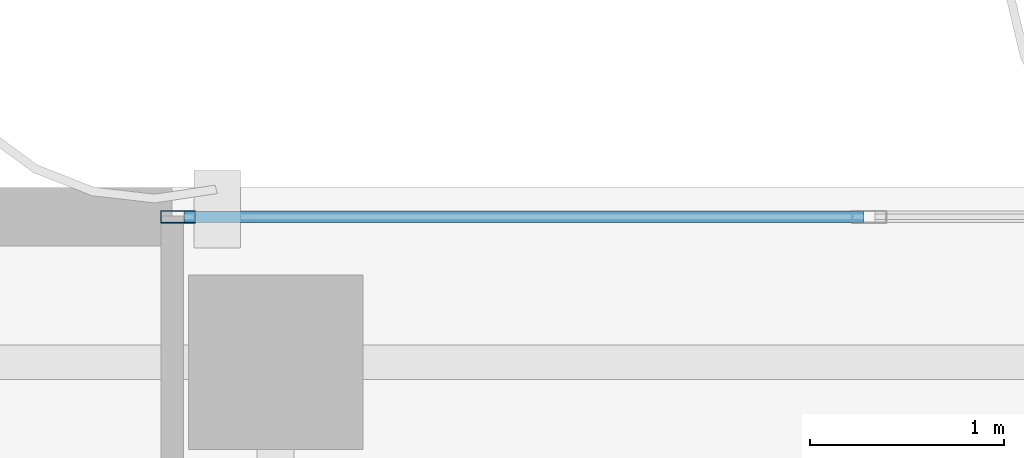
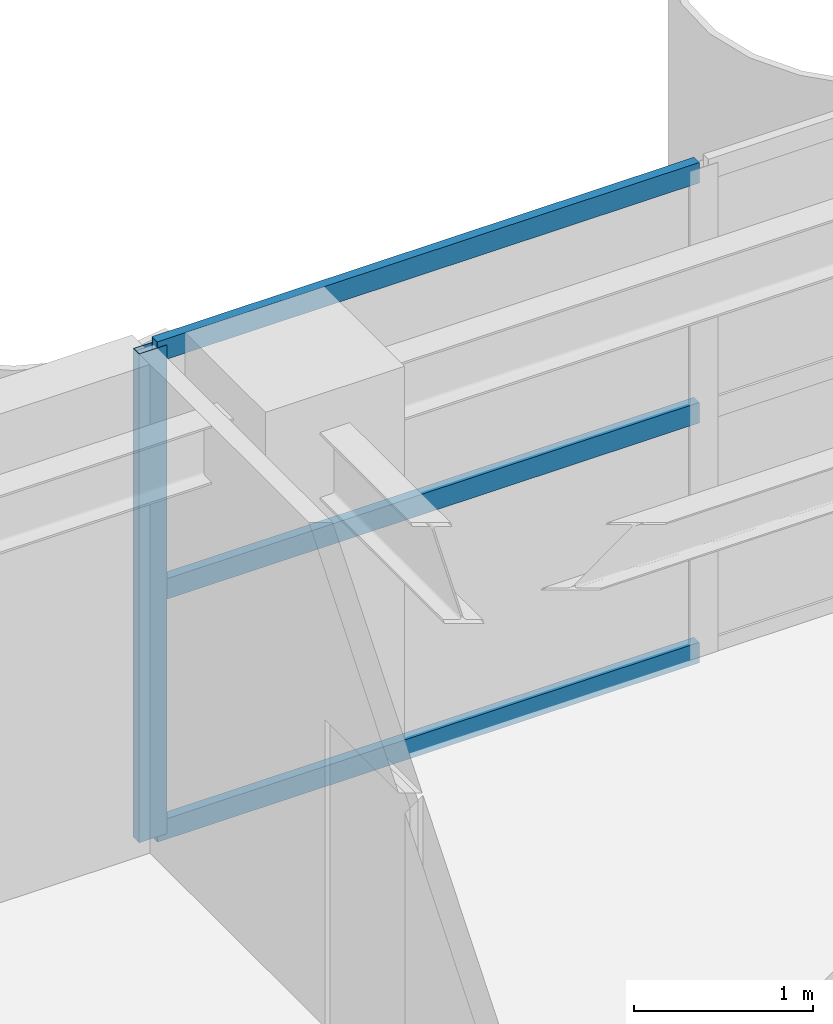
# One storey, part 14 of 25: 4 members, 1 element without a shape of its own.
"""IFC4 building model written with IfcOpenShell, lengths in metres."""

import ifcopenshell
import ifcopenshell.guid

model = None  # the IFC model being written
_history = None  # IfcOwnerHistory: only IFC2X3 demands one
_inside = {}  # id of a spatial element -> (the spatial element, [elements in it])
_under = {}  # id of a project, library or spatial element -> (it, [spatial elements below it])
_declared = {}  # id of a project -> (the project, [libraries it declares])
_typed = {}  # id of a type object -> (the type object, [elements of that type])
_made_of = {}  # id of a material, layer set ... -> (it, [elements and type objects made of it])


def new_model(schema):
    """Start an empty IFC model of exactly this schema.

    Asked for "IFC4X3", IfcOpenShell would pick the latest addendum, in which some entities
    have other attributes; the version numbers below select the first issue.
    IFC2X3 requires an IfcOwnerHistory on every rooted entity: one is made here for all.
    """
    global model, _history
    if schema == "IFC4X3":
        model = ifcopenshell.file(schema_version=(4, 3, 0, 0))
    else:
        model = ifcopenshell.file(schema=schema)
    _inside.clear()
    _under.clear()
    _declared.clear()
    _typed.clear()
    _made_of.clear()
    _history = None
    if model.schema == "IFC2X3":
        org = make("IfcOrganization", Name="unknown")
        user = make(
            "IfcPersonAndOrganization",
            ThePerson=make("IfcPerson", FamilyName="unknown"),
            TheOrganization=org,
        )
        app = make(
            "IfcApplication",
            ApplicationDeveloper=org,
            Version="unknown",
            ApplicationFullName="unknown",
            ApplicationIdentifier="unknown",
        )
        _history = make(
            "IfcOwnerHistory",
            OwningUser=user,
            OwningApplication=app,
            ChangeAction="ADDED",
            CreationDate=0,
        )
    return model


def make(cls, **values):
    """One entity of the class cls with the attributes given. An attribute that is None is left unset."""
    return model.create_entity(
        cls, **{name: value for name, value in values.items() if value is not None}
    )


def rooted(cls, **values):
    """An entity with a GlobalId (a new one), such as an element, a storey or a relation."""
    return make(cls, GlobalId=ifcopenshell.guid.new(), OwnerHistory=_history, **values)


def si_unit(unit_type, name, prefix=None):
    """IfcSIUnit, for example si_unit("LENGTHUNIT", "METRE", prefix="MILLI")."""
    return make("IfcSIUnit", UnitType=unit_type, Prefix=prefix, Name=name)


def assignment(units):
    """IfcUnitAssignment: the units of a project."""
    return None if units is None else make("IfcUnitAssignment", Units=units)


def point(xyz):
    """IfcCartesianPoint."""
    return None if xyz is None else make("IfcCartesianPoint", Coordinates=xyz)


def direction(xyz):
    """IfcDirection."""
    return None if xyz is None else make("IfcDirection", DirectionRatios=xyz)


def frame(location, z_axis=None, x_axis=None):
    """IfcAxis2Placement3D, a coordinate frame: its origin and axes. An axis left out is left unset."""
    return make(
        "IfcAxis2Placement3D",
        Location=point(location),
        Axis=direction(z_axis),
        RefDirection=direction(x_axis),
    )


def frame_2d(location, x_axis=None):
    """IfcAxis2Placement2D, a coordinate frame in the plane: its origin and x axis."""
    return make(
        "IfcAxis2Placement2D", Location=point(location), RefDirection=direction(x_axis)
    )


def origin():
    """The frame at (0, 0, 0) with its axes left unset."""
    return frame((0.0, 0.0, 0.0))


def origin_2d():
    """The frame at (0, 0) in the plane with its x axis left unset."""
    return frame_2d((0.0, 0.0))


def place(relative_to, where):
    """IfcLocalPlacement: puts the frame where relative to a parent placement (None: the world)."""
    return make(
        "IfcLocalPlacement", PlacementRelTo=relative_to, RelativePlacement=where
    )


def context(
    kind, dimensions, precision=None, world=None, true_north=None, identifier=None
):
    """IfcGeometricRepresentationContext, for example the 3D "Model" context."""
    return make(
        "IfcGeometricRepresentationContext",
        ContextIdentifier=identifier,
        ContextType=kind,
        CoordinateSpaceDimension=dimensions,
        Precision=precision,
        WorldCoordinateSystem=world,
        TrueNorth=true_north,
    )


def subcontext(parent, identifier, kind, view, scale=None):
    """IfcGeometricRepresentationSubContext, for example "Body" below "Model"."""
    return make(
        "IfcGeometricRepresentationSubContext",
        ContextIdentifier=identifier,
        ContextType=kind,
        ParentContext=parent,
        TargetScale=scale,
        TargetView=view,
    )


def project(units=None, contexts=None):
    """IfcProject with its units and contexts."""
    return rooted(
        "IfcProject",
        Name="project",
        RepresentationContexts=contexts,
        UnitsInContext=assignment(units),
    )


def spatial(cls, under=None, at=None, **own):
    """A site, building, storey or space (cls), placed at a placement, below another one or the project."""
    s = rooted(cls, ObjectPlacement=at, **own)
    if under is not None:
        _under.setdefault(under.id(), (under, []))[1].append(s)
    return s


def profile(cls, at=None, kind="AREA", **sizes):
    """A parametric profile (cls). Its sizes go by their IFC names, for example OverallWidth=200.0."""
    return make(cls, ProfileType=kind, Position=at, **sizes)


def hollow_rectangle(**sizes):
    """IfcRectangleHollowProfileDef."""
    return profile("IfcRectangleHollowProfileDef", **sizes)


def extrude(swept, where, along, depth):
    """IfcExtrudedAreaSolid: the profile swept, set in the frame where, extruded along a direction by depth."""
    return make(
        "IfcExtrudedAreaSolid",
        SweptArea=swept,
        Position=where,
        ExtrudedDirection=direction(along),
        Depth=depth,
    )


def shape(context_of_items, identifier, shape_type, items):
    """IfcShapeRepresentation: the items that make up one representation, for example the "Body"."""
    return make(
        "IfcShapeRepresentation",
        ContextOfItems=context_of_items,
        RepresentationIdentifier=identifier,
        RepresentationType=shape_type,
        Items=items,
    )


def source(mapping_origin, context_of_items, identifier, shape_type, items):
    """IfcRepresentationMap: a shape defined once, which mapped items show again and again."""
    return make(
        "IfcRepresentationMap",
        MappingOrigin=mapping_origin,
        MappedRepresentation=shape(context_of_items, identifier, shape_type, items),
    )


def transform(
    local_origin,
    x_axis=None,
    y_axis=None,
    z_axis=None,
    scale=None,
    scale2=None,
    scale3=None,
    uniform=True,
):
    """IfcCartesianTransformationOperator3D, or its non-uniform kind. x_axis, y_axis, z_axis: its Axis1, 2, 3."""
    if uniform:
        return make(
            "IfcCartesianTransformationOperator3D",
            Axis1=direction(x_axis),
            Axis2=direction(y_axis),
            LocalOrigin=point(local_origin),
            Scale=scale,
            Axis3=direction(z_axis),
        )
    return make(
        "IfcCartesianTransformationOperator3DnonUniform",
        Axis1=direction(x_axis),
        Axis2=direction(y_axis),
        LocalOrigin=point(local_origin),
        Scale=scale,
        Axis3=direction(z_axis),
        Scale2=scale2,
        Scale3=scale3,
    )


def mapped(mapping_source, mapping_target):
    """IfcMappedItem: shows the shape of a source again, moved by a transform."""
    return make(
        "IfcMappedItem", MappingSource=mapping_source, MappingTarget=mapping_target
    )


def material(Name=None, Category=None):
    """IfcMaterial."""
    return make("IfcMaterial", Name=Name, Category=Category)


def layer(
    of_material, thickness, ventilated=None, Name=None, Category=None, Priority=None
):
    """IfcMaterialLayer: one layer of a wall or slab, of a material (None: an air gap)."""
    return make(
        "IfcMaterialLayer",
        Material=of_material,
        LayerThickness=thickness,
        IsVentilated=ventilated,
        Name=Name,
        Category=Category,
        Priority=Priority,
    )


def layer_set(layers, Name=None):
    """IfcMaterialLayerSet."""
    return make("IfcMaterialLayerSet", MaterialLayers=layers, LayerSetName=Name)


def material_profile(
    of_material, cross_section, Name=None, Category=None, Priority=None
):
    """IfcMaterialProfile: a cross section and its material."""
    return make(
        "IfcMaterialProfile",
        Name=Name,
        Material=of_material,
        Profile=cross_section,
        Priority=Priority,
        Category=Category,
    )


def profile_set(profiles, Name=None, composite=None):
    """IfcMaterialProfileSet."""
    return make(
        "IfcMaterialProfileSet",
        Name=Name,
        MaterialProfiles=profiles,
        CompositeProfile=composite,
    )


def made_of(thing, what):
    """Note that an element or type object is made of a material, layer set ...; save() writes the relation."""
    if what is not None:
        _made_of.setdefault(what.id(), (what, []))[1].append(thing)
    return thing


def type_object(cls, material=None, **own):
    """A type object (cls), such as IfcWallType, which elements share."""
    return made_of(rooted(cls, **own), material)


def element(
    cls,
    number,
    at=None,
    inside=None,
    cuts=None,
    type_object=None,
    material=None,
    context=None,
    identifier="Body",
    shape_type=None,
    held_by="IfcProductDefinitionShape",
    body=None,
    shapes=None,
    **own,
):
    """One element of the class cls, such as IfcWall. Its Tag is "e" and its number.

    at: its placement. inside: the storey or other place that contains it. cuts: it is an
    opening in that element (IfcRelVoidsElement). A single representation is given by context,
    identifier, shape_type and body (its items); several are given by shapes. held_by: the class
    of the entity that holds the representations. save() writes the other relations.
    """
    e = rooted(cls, Tag="e%d" % number, ObjectPlacement=at, **own)
    if body is not None:
        shapes = [shape(context, identifier, shape_type, body)]
    if shapes is not None:
        e.Representation = make(held_by, Representations=shapes)
    if inside is not None:
        _inside.setdefault(inside.id(), (inside, []))[1].append(e)
    if cuts is not None:
        rooted(
            "IfcRelVoidsElement", RelatingBuildingElement=cuts, RelatedOpeningElement=e
        )
    if type_object is not None:
        _typed.setdefault(type_object.id(), (type_object, []))[1].append(e)
    return made_of(e, material)


def aggregate(whole, parts):
    """IfcRelAggregates: a whole, such as a stair, and the parts it consists of."""
    return rooted("IfcRelAggregates", RelatingObject=whole, RelatedObjects=parts)


def save(model, path):
    """Write the relations noted so far, then the file.

    IfcRelAggregates (storeys below a building ...), IfcRelContainedInSpatialStructure (elements
    in a storey), IfcRelDefinesByType, IfcRelAssociatesMaterial and IfcRelDeclares: one each for
    every whole, place, type object, material and project.
    """
    for whole, parts in _under.values():
        aggregate(whole, parts)
    for where, things in _inside.values():
        rooted(
            "IfcRelContainedInSpatialStructure",
            RelatedElements=things,
            RelatingStructure=where,
        )
    for kind, things in _typed.values():
        rooted("IfcRelDefinesByType", RelatedObjects=things, RelatingType=kind)
    for what, things in _made_of.values():
        rooted("IfcRelAssociatesMaterial", RelatedObjects=things, RelatingMaterial=what)
    for by, libraries in _declared.values():
        rooted("IfcRelDeclares", RelatingContext=by, RelatedDefinitions=libraries)
    model.write(path)


model = new_model("IFC4")

# Units and contexts
model_context = context("Model", 3, precision=1e-05, world=origin(), true_north=direction((0.0, 1.0)))
body_context = subcontext(model_context, "Body", "Model", "MODEL_VIEW")
ifc_project = project(units=[si_unit("LENGTHUNIT", "METRE"), si_unit("AREAUNIT", "SQUARE_METRE"), si_unit("VOLUMEUNIT", "CUBIC_METRE"), si_unit("PLANEANGLEUNIT", "RADIAN"), si_unit("MASSUNIT", "GRAM", prefix="KILO")], contexts=[model_context])

# Site, building, storey
site_placement = place(None, origin())
site = spatial("IfcSite", under=ifc_project, at=site_placement, CompositionType="ELEMENT")
building_placement = place(site_placement, origin())
building = spatial("IfcBuilding", under=site, at=building_placement, Name="Khoralis Quay Care Tower", CompositionType="ELEMENT")
storey_placement = place(building_placement, frame((0.0, 0.0, 166.5)))
storey = spatial("IfcBuildingStorey", under=building, at=storey_placement, Name="L43", CompositionType="ELEMENT", Elevation=166.5)

# Curtain wall, members
ifc_material = material(Name="Pale anodised aluminium", Category="aluminium")
ifc_layer = layer(ifc_material, 0.159912109375)
ifc_layer_set = layer_set([ifc_layer], Name="Pale anodised aluminium")
curtain_wall_type = type_object("IfcCurtainWallType", Name="CW-SYS-Z3", PredefinedType="NOTDEFINED", material=ifc_layer_set)
curtain_wall_placement = place(storey_placement, origin())
curtain_wall = element("IfcCurtainWall", 1, at=curtain_wall_placement, inside=storey, type_object=curtain_wall_type, Name="L43 Unitised Curtain Wall CW-L43-P1-E10", PredefinedType="NOTDEFINED")
ifc_material_profile_1 = material_profile(ifc_material, hollow_rectangle(XDim=0.06494140625, YDim=0.179931640625, WallThickness=0.00390625, at=origin_2d()), Name="Pale anodised aluminium")
ifc_profile_set_1 = profile_set([ifc_material_profile_1], Name="Pale anodised aluminium")
member_type_1 = type_object("IfcMemberType", Name="CW-MUL-180", PredefinedType="MULLION", material=ifc_profile_set_1)
shared_shape_1 = source(origin(), body_context, "Body", "SweptSolid", [
    extrude(hollow_rectangle(XDim=0.06494140625, YDim=0.179931640625, WallThickness=0.00390625, at=origin_2d()), origin(), (0.0, 0.0, 1.0), 3.340087890625),
])
member_1_placement = place(storey_placement, frame((16.596923828125, 41.85009765625, 0.0), z_axis=(0.0, 0.0, 1.0), x_axis=(0.0, -1.0, 0.0)))
member_1 = element("IfcMember", 2, at=member_1_placement, type_object=member_type_1, Name="CW3 mullion 5", PredefinedType="MULLION", context=body_context, shape_type="MappedRepresentation", body=[
    mapped(shared_shape_1, transform((0.0, 0.0, 0.0), scale=1.0)),
])
ifc_material_profile_2 = material_profile(ifc_material, hollow_rectangle(XDim=0.06005859375, YDim=0.139892578125, WallThickness=0.00390625, at=origin_2d()), Name="Pale anodised aluminium")
ifc_profile_set_2 = profile_set([ifc_material_profile_2], Name="Pale anodised aluminium")
member_type_2 = type_object("IfcMemberType", Name="CW-TRN-140", PredefinedType="USERDEFINED", material=ifc_profile_set_2)
shared_shape_2 = source(origin(), body_context, "Body", "SweptSolid", [
    extrude(hollow_rectangle(XDim=0.06005859375, YDim=0.139892578125, WallThickness=0.00390625, at=origin_2d()), origin(), (0.0, 0.0, 1.0), 3.50341796875),
])
member_2_placement = place(storey_placement, frame((20.13037109375, 41.85009765625, 0.030029296875), z_axis=(-1.0, 0.0, 0.0), x_axis=(0.0, -1.0, 0.0)))
member_2 = element("IfcMember", 3, at=member_2_placement, type_object=member_type_2, Name="CW3 transom 4.1", ObjectType="TRANSOM", PredefinedType="USERDEFINED", context=body_context, shape_type="MappedRepresentation", body=[
    mapped(shared_shape_2, transform((0.0, 0.0, 0.0), scale=1.0)),
])
member_3_placement = place(storey_placement, frame((20.13037109375, 41.85009765625, 1.669921875), z_axis=(-1.0, 0.0, 0.0), x_axis=(0.0, -1.0, 0.0)))
member_3 = element("IfcMember", 4, at=member_3_placement, type_object=member_type_2, Name="CW3 transom 4.2", ObjectType="TRANSOM", PredefinedType="USERDEFINED", context=body_context, shape_type="MappedRepresentation", body=[
    mapped(shared_shape_2, transform((0.0, 0.0, 0.0), scale=1.0)),
])
member_4_placement = place(storey_placement, frame((20.13037109375, 41.85009765625, 3.31005859375), z_axis=(-1.0, 0.0, 0.0), x_axis=(0.0, -1.0, 0.0)))
member_4 = element("IfcMember", 5, at=member_4_placement, type_object=member_type_2, Name="CW3 transom 4.3", ObjectType="TRANSOM", PredefinedType="USERDEFINED", context=body_context, shape_type="MappedRepresentation", body=[
    mapped(shared_shape_2, transform((0.0, 0.0, 0.0), scale=1.0)),
])
aggregate(curtain_wall, [member_1, member_2, member_3, member_4])

save(model, "model.ifc")
